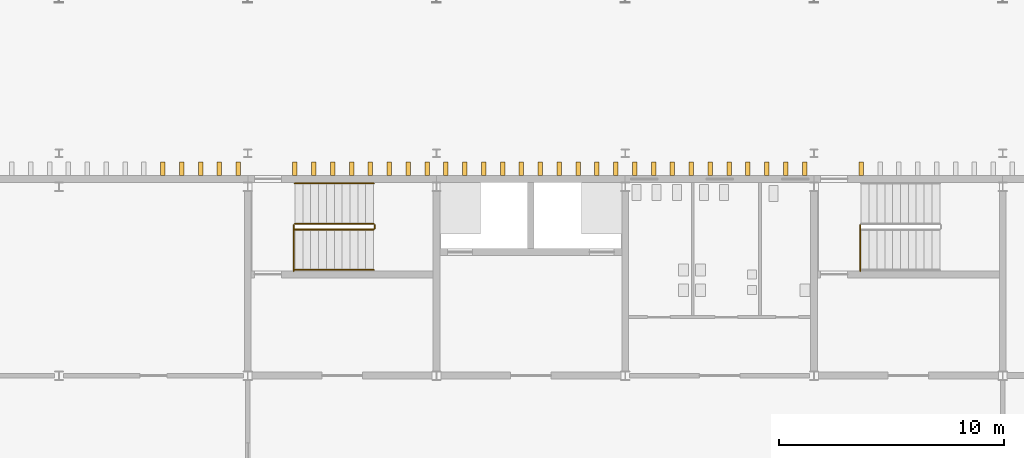
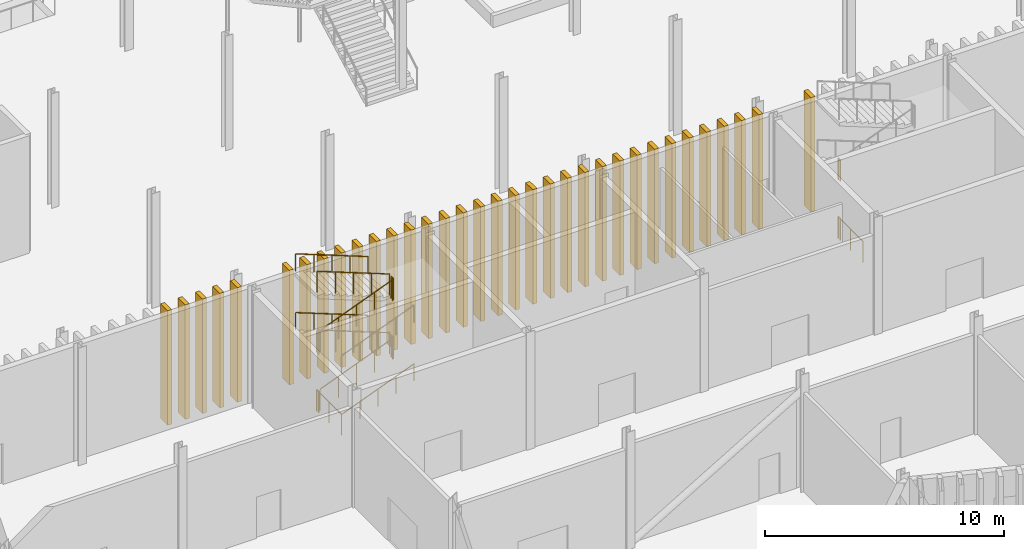
# One storey, part 88 of 108: 34 coverings, 16 railings.
"""IFC4 building model written with IfcOpenShell, lengths in metres."""

from ifc_helpers import new_model, si_unit, direction, frame, origin, origin_2d, place, context, subcontext, project, spatial, rectangle, circle, extrude, material, type_object, element, save


model = new_model("IFC4")

# Units and contexts
model_context = context("Model", 3, precision=1e-05, world=origin(), true_north=direction((0.0, 1.0)))
body_context = subcontext(model_context, "Body", "Model", "MODEL_VIEW")
ifc_project = project(units=[si_unit("LENGTHUNIT", "METRE"), si_unit("AREAUNIT", "SQUARE_METRE"), si_unit("VOLUMEUNIT", "CUBIC_METRE"), si_unit("PLANEANGLEUNIT", "RADIAN"), si_unit("MASSUNIT", "GRAM", prefix="KILO")], contexts=[model_context])

# Site, building, storey
site_placement = place(None, origin())
site = spatial("IfcSite", under=ifc_project, at=site_placement, CompositionType="ELEMENT")
building_placement = place(site_placement, origin())
building = spatial("IfcBuilding", under=site, at=building_placement, Name="Cresset Court Congress Hotel", CompositionType="ELEMENT")
storey_placement = place(building_placement, origin())
storey = spatial("IfcBuildingStorey", under=building, at=storey_placement, Name="L00", CompositionType="ELEMENT", Elevation=0.0)

# Railings
ifc_material_1 = material(Name="Steel and laminated glass", Category="steel")
railing_type_1 = type_object("IfcRailingType", Name="Guard 1100 steel and glass", PredefinedType="GUARDRAIL", material=ifc_material_1)
railing_1_placement = place(storey_placement, frame((35.699951171875, 23.300048828125, 0.136474609375)))
element("IfcRailing", 1, at=railing_1_placement, inside=storey, type_object=railing_type_1, Name="L00 ST-B2 stair guard 1", PredefinedType="GUARDRAIL", context=body_context, shape_type="SweptSolid", body=[
    extrude(circle(Radius=0.02392578125, at=origin_2d()), frame((0.0, 0.0, 1.076171875), z_axis=(0.931787385211, 0.0, 0.3630045024), x_axis=(0.0, 1.0, 0.0)), (0.0, 0.0, 1.0), 3.756103515625),
    extrude(circle(Radius=0.02099609375, at=origin_2d()), origin(), (0.0, 0.0, 1.0), 1.052001953125),
    extrude(circle(Radius=0.02099609375, at=origin_2d()), frame((0.875, 0.0, 0.3408203125)), (0.0, 0.0, 1.0), 1.052001953125),
    extrude(circle(Radius=0.02099609375, at=origin_2d()), frame((1.75, 0.0, 0.681640625)), (0.0, 0.0, 1.0), 1.052001953125),
    extrude(circle(Radius=0.02099609375, at=origin_2d()), frame((2.625, 0.0, 1.022705078125)), (0.0, 0.0, 1.0), 1.052001953125),
    extrude(circle(Radius=0.02099609375, at=origin_2d()), frame((3.5, 0.0, 1.363525390625)), (0.0, 0.0, 1.0), 1.052001953125),
])
railing_2_placement = place(storey_placement, frame((39.25, 23.35009765625, 1.5)))
element("IfcRailing", 2, at=railing_2_placement, inside=storey, type_object=railing_type_1, Name="L00 ST-B2 stair guard 2", PredefinedType="GUARDRAIL", context=body_context, shape_type="SweptSolid", body=[
    extrude(circle(Radius=0.02392578125, at=origin_2d()), frame((0.0, 0.0, 1.076171875), z_axis=(0.0, 1.0, 0.0), x_axis=(-1.0, 0.0, 0.0)), (0.0, 0.0, 1.0), 0.14990234375),
    extrude(circle(Radius=0.02099609375, at=origin_2d()), origin(), (0.0, 0.0, 1.0), 1.052001953125),
    extrude(circle(Radius=0.02099609375, at=origin_2d()), frame((0.0, 0.14990234375, 0.0)), (0.0, 0.0, 1.0), 1.052001953125),
])
railing_3_placement = place(storey_placement, frame((39.199951171875, 23.550048828125, 1.636474609375)))
element("IfcRailing", 3, at=railing_3_placement, inside=storey, type_object=railing_type_1, Name="L00 ST-B2 stair guard 3", PredefinedType="GUARDRAIL", context=body_context, shape_type="SweptSolid", body=[
    extrude(circle(Radius=0.02392578125, at=origin_2d()), frame((0.0, 0.0, 1.076171875), z_axis=(-0.931787385211, 0.0, 0.3630045024), x_axis=(0.0, -1.0, 0.0)), (0.0, 0.0, 1.0), 3.756103515625),
    extrude(circle(Radius=0.02099609375, at=origin_2d()), origin(), (0.0, 0.0, 1.0), 1.052001953125),
    extrude(circle(Radius=0.02099609375, at=origin_2d()), frame((-0.875, 0.0, 0.3408203125)), (0.0, 0.0, 1.0), 1.052001953125),
    extrude(circle(Radius=0.02099609375, at=origin_2d()), frame((-1.75, 0.0, 0.681640625)), (0.0, 0.0, 1.0), 1.052001953125),
    extrude(circle(Radius=0.02099609375, at=origin_2d()), frame((-2.625, 0.0, 1.022705078125)), (0.0, 0.0, 1.0), 1.052001953125),
    extrude(circle(Radius=0.02099609375, at=origin_2d()), frame((-3.5, 0.0, 1.363525390625)), (0.0, 0.0, 1.0), 1.052001953125),
])
railing_4_placement = place(storey_placement, frame((35.64990234375, 23.35009765625, 3.0)))
element("IfcRailing", 4, at=railing_4_placement, inside=storey, type_object=railing_type_1, Name="L00 ST-B2 stair guard 4", PredefinedType="GUARDRAIL", context=body_context, shape_type="SweptSolid", body=[
    extrude(circle(Radius=0.02392578125, at=origin_2d()), frame((0.0, 0.0, 1.076171875), z_axis=(0.0, 1.0, 0.0), x_axis=(-1.0, 0.0, 0.0)), (0.0, 0.0, 1.0), 0.14990234375),
    extrude(circle(Radius=0.02099609375, at=origin_2d()), origin(), (0.0, 0.0, 1.0), 1.052001953125),
    extrude(circle(Radius=0.02099609375, at=origin_2d()), frame((0.0, 0.14990234375, 0.0)), (0.0, 0.0, 1.0), 1.052001953125),
])
railing_5_placement = place(storey_placement, frame((35.699951171875, 23.300048828125, 3.136474609375)))
element("IfcRailing", 5, at=railing_5_placement, inside=storey, type_object=railing_type_1, Name="L00 ST-B2 stair guard 5", PredefinedType="GUARDRAIL", context=body_context, shape_type="SweptSolid", body=[
    extrude(circle(Radius=0.02392578125, at=origin_2d()), frame((0.0, 0.0, 1.076171875), z_axis=(0.931787385211, 0.0, 0.3630045024), x_axis=(0.0, 1.0, 0.0)), (0.0, 0.0, 1.0), 3.756103515625),
    extrude(circle(Radius=0.02099609375, at=origin_2d()), origin(), (0.0, 0.0, 1.0), 1.052001953125),
    extrude(circle(Radius=0.02099609375, at=origin_2d()), frame((0.875, 0.0, 0.3408203125)), (0.0, 0.0, 1.0), 1.052001953125),
    extrude(circle(Radius=0.02099609375, at=origin_2d()), frame((1.75, 0.0, 0.681640625)), (0.0, 0.0, 1.0), 1.052001953125),
    extrude(circle(Radius=0.02099609375, at=origin_2d()), frame((2.625, 0.0, 1.022705078125)), (0.0, 0.0, 1.0), 1.052001953125),
    extrude(circle(Radius=0.02099609375, at=origin_2d()), frame((3.5, 0.0, 1.363525390625)), (0.0, 0.0, 1.0), 1.052001953125),
])
railing_6_placement = place(storey_placement, frame((39.25, 23.35009765625, 4.5)))
element("IfcRailing", 6, at=railing_6_placement, inside=storey, type_object=railing_type_1, Name="L00 ST-B2 stair guard 6", PredefinedType="GUARDRAIL", context=body_context, shape_type="SweptSolid", body=[
    extrude(circle(Radius=0.02392578125, at=origin_2d()), frame((0.0, 0.0, 1.076171875), z_axis=(0.0, 1.0, 0.0), x_axis=(-1.0, 0.0, 0.0)), (0.0, 0.0, 1.0), 0.14990234375),
    extrude(circle(Radius=0.02099609375, at=origin_2d()), origin(), (0.0, 0.0, 1.0), 1.052001953125),
    extrude(circle(Radius=0.02099609375, at=origin_2d()), frame((0.0, 0.14990234375, 0.0)), (0.0, 0.0, 1.0), 1.052001953125),
])
railing_7_placement = place(storey_placement, frame((39.199951171875, 23.550048828125, 4.636474609375)))
element("IfcRailing", 7, at=railing_7_placement, inside=storey, type_object=railing_type_1, Name="L00 ST-B2 stair guard 7", PredefinedType="GUARDRAIL", context=body_context, shape_type="SweptSolid", body=[
    extrude(circle(Radius=0.02392578125, at=origin_2d()), frame((0.0, 0.0, 1.076171875), z_axis=(-0.931787385211, 0.0, 0.3630045024), x_axis=(0.0, -1.0, 0.0)), (0.0, 0.0, 1.0), 3.756103515625),
    extrude(circle(Radius=0.02099609375, at=origin_2d()), origin(), (0.0, 0.0, 1.0), 1.052001953125),
    extrude(circle(Radius=0.02099609375, at=origin_2d()), frame((-0.875, 0.0, 0.3408203125)), (0.0, 0.0, 1.0), 1.052001953125),
    extrude(circle(Radius=0.02099609375, at=origin_2d()), frame((-1.75, 0.0, 0.681640625)), (0.0, 0.0, 1.0), 1.052001953125),
    extrude(circle(Radius=0.02099609375, at=origin_2d()), frame((-2.625, 0.0, 1.022705078125)), (0.0, 0.0, 1.0), 1.052001953125),
    extrude(circle(Radius=0.02099609375, at=origin_2d()), frame((-3.5, 0.0, 1.363525390625)), (0.0, 0.0, 1.0), 1.052001953125),
])
railing_8_placement = place(storey_placement, frame((35.64990234375, 23.35009765625, 0.0)))
element("IfcRailing", 8, at=railing_8_placement, inside=storey, type_object=railing_type_1, Name="L00 ST-B2 stair guard 8", PredefinedType="GUARDRAIL", context=body_context, shape_type="SweptSolid", body=[
    extrude(circle(Radius=0.02392578125, at=origin_2d()), frame((0.0, 0.0, 1.076171875), z_axis=(0.0, 1.0, 0.0), x_axis=(-1.0, 0.0, 0.0)), (0.0, 0.0, 1.0), 0.14990234375),
    extrude(circle(Radius=0.02099609375, at=origin_2d()), origin(), (0.0, 0.0, 1.0), 1.052001953125),
    extrude(circle(Radius=0.02099609375, at=origin_2d()), frame((0.0, 0.14990234375, 0.0)), (0.0, 0.0, 1.0), 1.052001953125),
])
railing_9_placement = place(storey_placement, frame((35.64990234375, 21.449951171875, 0.0)))
element("IfcRailing", 9, at=railing_9_placement, inside=storey, type_object=railing_type_1, Name="L00 ST-B2 stair guard 9", PredefinedType="GUARDRAIL", context=body_context, shape_type="SweptSolid", body=[
    extrude(circle(Radius=0.02392578125, at=origin_2d()), frame((0.0, 0.0, 1.076171875), z_axis=(0.0, 1.0, 0.0), x_axis=(-1.0, 0.0, 0.0)), (0.0, 0.0, 1.0), 2.050048828125),
    extrude(circle(Radius=0.02099609375, at=origin_2d()), origin(), (0.0, 0.0, 1.0), 1.052001953125),
    extrude(circle(Radius=0.02099609375, at=origin_2d()), frame((0.0, 1.02490234375, 0.0)), (0.0, 0.0, 1.0), 1.052001953125),
    extrude(circle(Radius=0.02099609375, at=origin_2d()), frame((0.0, 2.050048828125, 0.0)), (0.0, 0.0, 1.0), 1.052001953125),
])
for number, where, name in (
    (10, (60.85009765625, 23.35009765625, 3.0), "L00 ST-B3 stair guard 4"),
    (11, (60.85009765625, 23.35009765625, 0.0), "L00 ST-B3 stair guard 8"),
):
    element("IfcRailing", number, at=place(storey_placement, frame(where)), inside=storey, type_object=railing_type_1, Name=name, PredefinedType="GUARDRAIL", context=body_context, shape_type="SweptSolid", body=[
        extrude(circle(Radius=0.02392578125, at=origin_2d()), frame((0.0, 0.0, 1.076171875), z_axis=(0.0, 1.0, 0.0), x_axis=(-1.0, 0.0, 0.0)), (0.0, 0.0, 1.0), 0.14990234375),
        extrude(circle(Radius=0.02099609375, at=origin_2d()), origin(), (0.0, 0.0, 1.0), 1.052001953125),
        extrude(circle(Radius=0.02099609375, at=origin_2d()), frame((0.0, 0.14990234375, 0.0)), (0.0, 0.0, 1.0), 1.052001953125),
    ])
railing_10_placement = place(storey_placement, frame((60.85009765625, 21.449951171875, 0.0)))
element("IfcRailing", 12, at=railing_10_placement, inside=storey, type_object=railing_type_1, Name="L00 ST-B3 stair guard 9", PredefinedType="GUARDRAIL", context=body_context, shape_type="SweptSolid", body=[
    extrude(circle(Radius=0.02392578125, at=origin_2d()), frame((0.0, 0.0, 1.076171875), z_axis=(0.0, 1.0, 0.0), x_axis=(-1.0, 0.0, 0.0)), (0.0, 0.0, 1.0), 2.050048828125),
    extrude(circle(Radius=0.02099609375, at=origin_2d()), origin(), (0.0, 0.0, 1.0), 1.052001953125),
    extrude(circle(Radius=0.02099609375, at=origin_2d()), frame((0.0, 1.02490234375, 0.0)), (0.0, 0.0, 1.0), 1.052001953125),
    extrude(circle(Radius=0.02099609375, at=origin_2d()), frame((0.0, 2.050048828125, 0.0)), (0.0, 0.0, 1.0), 1.052001953125),
])
ifc_material_2 = material(Name="Stainless steel", Category="steel")
railing_type_2 = type_object("IfcRailingType", Name="Handrail 48 stainless", PredefinedType="HANDRAIL", material=ifc_material_2)
railing_11_placement = place(storey_placement, frame((35.699951171875, 21.5, 0.136474609375)))
element("IfcRailing", 13, at=railing_11_placement, inside=storey, type_object=railing_type_2, Name="L00 ST-B2 stair handrail 1", PredefinedType="HANDRAIL", context=body_context, shape_type="SweptSolid", body=[
    extrude(circle(Radius=0.02392578125, at=origin_2d()), frame((0.0, 0.0, 0.8759765625), z_axis=(0.931787385211, 0.0, 0.3630045024), x_axis=(0.0, 1.0, 0.0)), (0.0, 0.0, 1.0), 3.756103515625),
    extrude(circle(Radius=0.02099609375, at=origin_2d()), origin(), (0.0, 0.0, 1.0), 0.851806640625),
    extrude(circle(Radius=0.02099609375, at=origin_2d()), frame((0.875, 0.0, 0.3408203125)), (0.0, 0.0, 1.0), 0.851806640625),
    extrude(circle(Radius=0.02099609375, at=origin_2d()), frame((1.75, 0.0, 0.681640625)), (0.0, 0.0, 1.0), 0.851806640625),
    extrude(circle(Radius=0.02099609375, at=origin_2d()), frame((2.625, 0.0, 1.022705078125)), (0.0, 0.0, 1.0), 0.851806640625),
    extrude(circle(Radius=0.02099609375, at=origin_2d()), frame((3.5, 0.0, 1.363525390625)), (0.0, 0.0, 1.0), 0.851806640625),
])
railing_12_placement = place(storey_placement, frame((39.199951171875, 25.35009765625, 1.636474609375)))
element("IfcRailing", 14, at=railing_12_placement, inside=storey, type_object=railing_type_2, Name="L00 ST-B2 stair handrail 2", PredefinedType="HANDRAIL", context=body_context, shape_type="SweptSolid", body=[
    extrude(circle(Radius=0.02392578125, at=origin_2d()), frame((0.0, 0.0, 0.8759765625), z_axis=(-0.931787385211, 0.0, 0.3630045024), x_axis=(0.0, -1.0, 0.0)), (0.0, 0.0, 1.0), 3.756103515625),
    extrude(circle(Radius=0.02099609375, at=origin_2d()), origin(), (0.0, 0.0, 1.0), 0.851806640625),
    extrude(circle(Radius=0.02099609375, at=origin_2d()), frame((-0.875, 0.0, 0.3408203125)), (0.0, 0.0, 1.0), 0.851806640625),
    extrude(circle(Radius=0.02099609375, at=origin_2d()), frame((-1.75, 0.0, 0.681640625)), (0.0, 0.0, 1.0), 0.851806640625),
    extrude(circle(Radius=0.02099609375, at=origin_2d()), frame((-2.625, 0.0, 1.022705078125)), (0.0, 0.0, 1.0), 0.851806640625),
    extrude(circle(Radius=0.02099609375, at=origin_2d()), frame((-3.5, 0.0, 1.363525390625)), (0.0, 0.0, 1.0), 0.851806640625),
])
railing_13_placement = place(storey_placement, frame((35.699951171875, 21.5, 3.136474609375)))
element("IfcRailing", 15, at=railing_13_placement, inside=storey, type_object=railing_type_2, Name="L00 ST-B2 stair handrail 3", PredefinedType="HANDRAIL", context=body_context, shape_type="SweptSolid", body=[
    extrude(circle(Radius=0.02392578125, at=origin_2d()), frame((0.0, 0.0, 0.8759765625), z_axis=(0.931787385211, 0.0, 0.3630045024), x_axis=(0.0, 1.0, 0.0)), (0.0, 0.0, 1.0), 3.756103515625),
    extrude(circle(Radius=0.02099609375, at=origin_2d()), origin(), (0.0, 0.0, 1.0), 0.851806640625),
    extrude(circle(Radius=0.02099609375, at=origin_2d()), frame((0.875, 0.0, 0.3408203125)), (0.0, 0.0, 1.0), 0.851806640625),
    extrude(circle(Radius=0.02099609375, at=origin_2d()), frame((1.75, 0.0, 0.681640625)), (0.0, 0.0, 1.0), 0.851806640625),
    extrude(circle(Radius=0.02099609375, at=origin_2d()), frame((2.625, 0.0, 1.022705078125)), (0.0, 0.0, 1.0), 0.851806640625),
    extrude(circle(Radius=0.02099609375, at=origin_2d()), frame((3.5, 0.0, 1.363525390625)), (0.0, 0.0, 1.0), 0.851806640625),
])
railing_14_placement = place(storey_placement, frame((39.199951171875, 25.35009765625, 4.636474609375)))
element("IfcRailing", 16, at=railing_14_placement, inside=storey, type_object=railing_type_2, Name="L00 ST-B2 stair handrail 4", PredefinedType="HANDRAIL", context=body_context, shape_type="SweptSolid", body=[
    extrude(circle(Radius=0.02392578125, at=origin_2d()), frame((0.0, 0.0, 0.8759765625), z_axis=(-0.931787385211, 0.0, 0.3630045024), x_axis=(0.0, -1.0, 0.0)), (0.0, 0.0, 1.0), 3.756103515625),
    extrude(circle(Radius=0.02099609375, at=origin_2d()), origin(), (0.0, 0.0, 1.0), 0.851806640625),
    extrude(circle(Radius=0.02099609375, at=origin_2d()), frame((-0.875, 0.0, 0.3408203125)), (0.0, 0.0, 1.0), 0.851806640625),
    extrude(circle(Radius=0.02099609375, at=origin_2d()), frame((-1.75, 0.0, 0.681640625)), (0.0, 0.0, 1.0), 0.851806640625),
    extrude(circle(Radius=0.02099609375, at=origin_2d()), frame((-2.625, 0.0, 1.022705078125)), (0.0, 0.0, 1.0), 0.851806640625),
    extrude(circle(Radius=0.02099609375, at=origin_2d()), frame((-3.5, 0.0, 1.363525390625)), (0.0, 0.0, 1.0), 0.851806640625),
])

# Coverings
ifc_material_3 = material(Name="Precast concrete C50", Category="concrete")
covering_type = type_object("IfcCoveringType", Name="Precast stone fin 200x600 variant 1", PredefinedType="CLADDING", material=ifc_material_3)
for number, where, z_axis, x_axis, name in (
    (17, (29.820068359375, 26.0, 0.0), (0.0, 0.0, 1.0), (1.0, 0.0, 0.0), "Fin N00-025"),
    (18, (30.659912109375, 26.0, 0.0), (0.0, 0.0, 1.0), (1.0, 0.0, 0.0), "Fin N00-026"),
    (19, (31.5, 26.0, 0.0), (0.0, 0.0, 1.0), (1.0, 0.0, 0.0), "Fin N00-027"),
    (20, (32.340087890625, 26.0, 0.0), (0.0, 0.0, 1.0), (1.0, 0.0, 0.0), "Fin N00-028"),
    (21, (33.179931640625, 26.0, 0.0), (0.0, 0.0, 1.0), (1.0, 0.0, 0.0), "Fin N00-029"),
    (22, (35.699951171875, 26.0, 0.0), (0.0, 0.0, 1.0), (1.0, 0.0, 0.0), "Fin N00-032"),
    (23, (36.5400390625, 26.0, 0.0), (0.0, 0.0, 1.0), (1.0, 0.0, 0.0), "Fin N00-033"),
    (24, (37.3798828125, 26.0, 0.0), (0.0, 0.0, 1.0), (1.0, 0.0, 0.0), "Fin N00-034"),
    (25, (38.219970703125, 26.0, 0.0), (0.0, 0.0, 1.0), (1.0, 0.0, 0.0), "Fin N00-035"),
    (26, (39.06005859375, 26.0, 0.0), (0.0, 0.0, 1.0), (1.0, 0.0, 0.0), "Fin N00-036"),
    (27, (39.89990234375, 26.0, 0.0), (0.0, 0.0, 1.0), (1.0, 0.0, 0.0), "Fin N00-037"),
    (28, (40.739990234375, 26.0, 0.0), (0.0, 0.0, 1.0), (1.0, 0.0, 0.0), "Fin N00-038"),
    (29, (41.580078125, 26.0, 0.0), (0.0, 0.0, 1.0), (1.0, 0.0, 0.0), "Fin N00-039"),
    (30, (42.419921875, 26.0, 0.0), (0.0, 0.0, 1.0), (1.0, 0.0, 0.0), "Fin N00-040"),
    (31, (43.260009765625, 26.0, 0.0), (0.0, 0.0, 1.0), (1.0, 0.0, 0.0), "Fin N00-041"),
    (32, (44.10009765625, 26.0, 0.0), (0.0, 0.0, 1.0), (1.0, 0.0, 0.0), "Fin N00-042"),
    (33, (44.93994140625, 26.0, 0.0), (0.0, 0.0, 1.0), (1.0, 0.0, 0.0), "Fin N00-043"),
    (34, (45.780029296875, 26.0, 0.0), (0.0, 0.0, 1.0), (1.0, 0.0, 0.0), "Fin N00-044"),
    (35, (46.6201171875, 26.0, 0.0), (0.0, 0.0, 1.0), (1.0, 0.0, 0.0), "Fin N00-045"),
    (36, (47.4599609375, 26.0, 0.0), (0.0, 0.0, 1.0), (1.0, 0.0, 0.0), "Fin N00-046"),
    (37, (48.300048828125, 26.0, 0.0), (0.0, 0.0, 1.0), (1.0, 0.0, 0.0), "Fin N00-047"),
    (38, (49.139892578125, 26.0, 0.0), (0.0, 0.0, 1.0), (1.0, 0.0, 0.0), "Fin N00-048"),
    (39, (49.97998046875, 26.0, 0.0), (0.0, 0.0, 1.0), (1.0, 0.0, 0.0), "Fin N00-049"),
    (40, (50.820068359375, 26.0, 0.0), (0.0, 0.0, 1.0), (1.0, 0.0, 0.0), "Fin N00-050"),
    (41, (51.659912109375, 26.0, 0.0), (0.0, 0.0, 1.0), (1.0, 0.0, 0.0), "Fin N00-051"),
    (42, (52.5, 26.0, 0.0), (0.0, 0.0, 1.0), (1.0, 0.0, 0.0), "Fin N00-052"),
    (43, (53.340087890625, 26.0, 0.0), (0.0, 0.0, 1.0), (1.0, 0.0, 0.0), "Fin N00-053"),
    (44, (54.179931640625, 26.0, 0.0), (0.0, 0.0, 1.0), (1.0, 0.0, 0.0), "Fin N00-054"),
    (45, (55.02001953125, 26.0, 0.0), (0.0, 0.0, 1.0), (1.0, 0.0, 0.0), "Fin N00-055"),
    (46, (55.860107421875, 26.0, 0.0), (0.0, 0.0, 1.0), (1.0, 0.0, 0.0), "Fin N00-056"),
    (47, (56.699951171875, 26.0, 0.0), (0.0, 0.0, 1.0), (1.0, 0.0, 0.0), "Fin N00-057"),
    (48, (57.5400390625, 26.0, 0.0), (0.0, 0.0, 1.0), (1.0, 0.0, 0.0), "Fin N00-058"),
    (49, (58.3798828125, 26.0, 0.0), (0.0, 0.0, 1.0), (1.0, 0.0, 0.0), "Fin N00-059"),
    (50, (60.89990234375, 26.0, 0.0), (0.0, 0.0, 1.0), (1.0, 0.0, 0.0), "Fin N00-062"),
):
    element("IfcCovering", number, at=place(storey_placement, frame(where, z_axis=z_axis, x_axis=x_axis)), inside=storey, type_object=covering_type, Name=name, PredefinedType="CLADDING", context=body_context, shape_type="SweptSolid", body=[
        extrude(rectangle(XDim=0.199951171875, YDim=0.60009765625, at=origin_2d()), origin(), (0.0, 0.0, 1.0), 5.85009765625),
    ])

save(model, "model.ifc")
